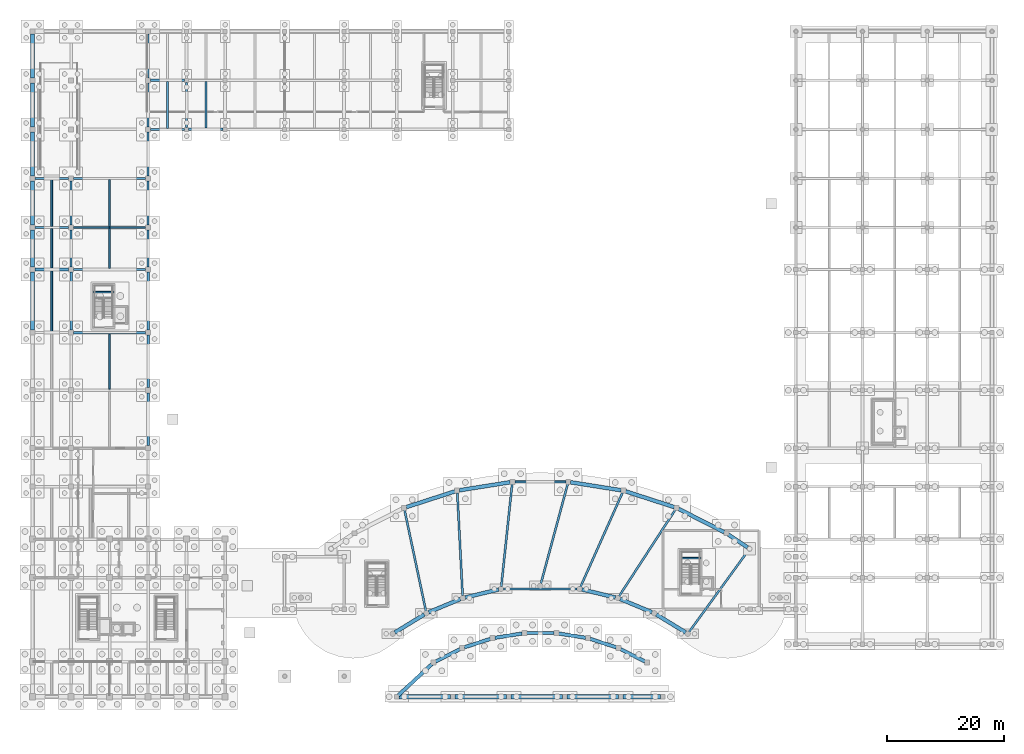
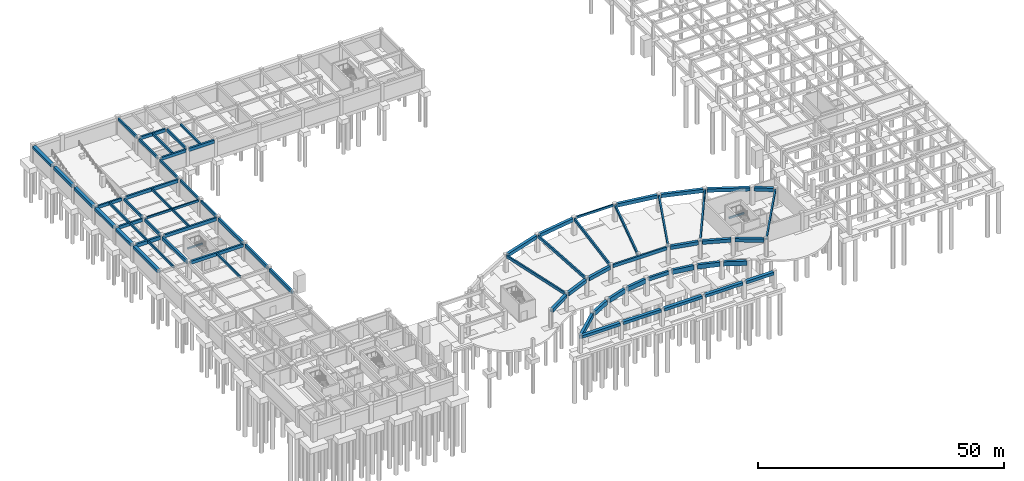
# One storey, part 11 of 28: 72 beams.
"""IFC4 building model written with IfcOpenShell, lengths in metres."""

from ifc_helpers import new_model, si_unit, direction, frame, origin, origin_2d, place, context, subcontext, project, spatial, rectangle, extrude, material, material_profile, profile_set, type_object, element, save


model = new_model("IFC4")

# Units and contexts
model_context = context("Model", 3, precision=1e-05, world=origin(), true_north=direction((0.0, 1.0)))
body_context = subcontext(model_context, "Body", "Model", "MODEL_VIEW")
ifc_project = project(units=[si_unit("LENGTHUNIT", "METRE"), si_unit("AREAUNIT", "SQUARE_METRE"), si_unit("VOLUMEUNIT", "CUBIC_METRE"), si_unit("PLANEANGLEUNIT", "RADIAN"), si_unit("MASSUNIT", "GRAM", prefix="KILO")], contexts=[model_context])

# Site, building, storey
site_placement = place(None, origin())
site = spatial("IfcSite", under=ifc_project, at=site_placement, CompositionType="ELEMENT")
building_placement = place(site_placement, origin())
building = spatial("IfcBuilding", under=site, at=building_placement, Name="Miralva Faculty of Natural Sciences", CompositionType="ELEMENT")
storey_placement = place(building_placement, frame((0.0, 0.0, -4.5)))
storey = spatial("IfcBuildingStorey", under=building, at=storey_placement, Name="B1", CompositionType="ELEMENT", Elevation=-4.5)

# Beams
ifc_material = material(Name="Concrete C40/50", Category="concrete")
ifc_material_profile_1 = material_profile(ifc_material, rectangle(XDim=0.449951171875, YDim=0.85009765625, at=origin_2d()), Name="RC 450x850")
ifc_profile_set_1 = profile_set([ifc_material_profile_1], Name="Concrete C40/50")
beam_type_1 = type_object("IfcBeamType", Name="BM-B01", PredefinedType="BEAM", material=ifc_profile_set_1)
beam_1_placement = place(storey_placement, frame((9.60009765625, 65.85009765625, 3.7548828125), z_axis=(0.0, 1.0, 0.0), x_axis=(-1.0, 0.0, 0.0)))
element("IfcBeam", 1, at=beam_1_placement, inside=storey, type_object=beam_type_1, Name="Girder NS B1-131", PredefinedType="BEAM", context=body_context, shape_type="SweptSolid", body=[
    extrude(rectangle(XDim=0.449951171875, YDim=0.85009765625, at=origin_2d()), origin(), (0.0, 0.0, 1.0), 9.89990234375),
])
for number, where, z_axis, x_axis, name in (
    (2, (22.800048828125, 46.050048828125, 3.7548828125), (0.0, 1.0, 0.0), (-1.0, 0.0, 0.0), "Girder NS B1-142"),
    (3, (22.800048828125, 55.949951171875, 3.7548828125), (0.0, 1.0, 0.0), (-1.0, 0.0, 0.0), "Girder NS B1-143"),
):
    element("IfcBeam", number, at=place(storey_placement, frame(where, z_axis=z_axis, x_axis=x_axis)), inside=storey, type_object=beam_type_1, Name=name, PredefinedType="BEAM", context=body_context, shape_type="SweptSolid", body=[
        extrude(rectangle(XDim=0.449951171875, YDim=0.85009765625, at=origin_2d()), origin(), (0.0, 0.0, 1.0), 9.0),
    ])
beam_2_placement = place(storey_placement, frame((22.800048828125, 65.85009765625, 3.7548828125), z_axis=(0.0, 1.0, 0.0), x_axis=(-1.0, 0.0, 0.0)))
element("IfcBeam", 4, at=beam_2_placement, inside=storey, type_object=beam_type_1, Name="Girder NS B1-144", PredefinedType="BEAM", context=body_context, shape_type="SweptSolid", body=[
    extrude(rectangle(XDim=0.449951171875, YDim=0.85009765625, at=origin_2d()), origin(), (0.0, 0.0, 1.0), 9.89990234375),
])
ifc_material_profile_2 = material_profile(ifc_material, rectangle(XDim=0.39990234375, YDim=0.800048828125, at=origin_2d()), Name="RC 400x800")
ifc_profile_set_2 = profile_set([ifc_material_profile_2], Name="Concrete C40/50")
beam_type_2 = type_object("IfcBeamType", Name="BM-B02", PredefinedType="BEAM", material=ifc_profile_set_2)
beam_3_placement = place(storey_placement, frame((83.719970703125, 21.469970703125, 3.820068359375), z_axis=(1.0, 0.0, 0.0), x_axis=(0.0, 1.0, 0.0)))
element("IfcBeam", 5, at=beam_3_placement, inside=storey, type_object=beam_type_2, Name="Girder EW B1-22", PredefinedType="BEAM", context=body_context, shape_type="SweptSolid", body=[
    extrude(rectangle(XDim=0.39990234375, YDim=0.800048828125, at=origin_2d()), origin(), (0.0, 0.0, 1.0), 12.56005859375),
])
for number, where, z_axis, x_axis, name in (
    (6, (10.050048828125, 76.199951171875, 3.780029296875), (1.0, 0.0, 0.0), (0.0, 1.0, 0.0), "Girder EW B1-62"),
    (7, (10.050048828125, 91.800048828125, 3.780029296875), (1.0, 0.0, 0.0), (0.0, 1.0, 0.0), "Girder EW B1-72"),
):
    element("IfcBeam", number, at=place(storey_placement, frame(where, z_axis=z_axis, x_axis=x_axis)), inside=storey, type_object=beam_type_2, Name=name, PredefinedType="BEAM", context=body_context, shape_type="SweptSolid", body=[
        extrude(rectangle(XDim=0.39990234375, YDim=0.800048828125, at=origin_2d()), origin(), (0.0, 0.0, 1.0), 12.300048828125),
    ])
ifc_material_profile_3 = material_profile(ifc_material, rectangle(XDim=0.39990234375, YDim=0.75, at=origin_2d()), Name="RC 400x750")
ifc_profile_set_3 = profile_set([ifc_material_profile_3], Name="Concrete C40/50")
beam_type_3 = type_object("IfcBeamType", Name="BM-B03", PredefinedType="BEAM", material=ifc_profile_set_3)
beam_4_placement = place(storey_placement, frame((3.449951171875, 83.39990234375, 3.804931640625), z_axis=(1.0, 0.0, 0.0), x_axis=(0.0, 1.0, 0.0)))
element("IfcBeam", 8, at=beam_4_placement, inside=storey, type_object=beam_type_3, Name="Girder EW B1-66", PredefinedType="BEAM", context=body_context, shape_type="SweptSolid", body=[
    extrude(rectangle(XDim=0.39990234375, YDim=0.75, at=origin_2d()), origin(), (0.0, 0.0, 1.0), 5.699951171875),
])
for number, where, z_axis, x_axis, name in (
    (9, (23.25, 100.199951171875, 3.804931640625), (1.0, 0.0, 0.0), (0.0, 1.0, 0.0), "Girder EW B1-78"),
    (10, (23.25, 108.60009765625, 3.804931640625), (1.0, 0.0, 0.0), (0.0, 1.0, 0.0), "Girder EW B1-90"),
):
    element("IfcBeam", number, at=place(storey_placement, frame(where, z_axis=z_axis, x_axis=x_axis)), inside=storey, type_object=beam_type_3, Name=name, PredefinedType="BEAM", context=body_context, shape_type="SweptSolid", body=[
        extrude(rectangle(XDim=0.39990234375, YDim=0.75, at=origin_2d()), origin(), (0.0, 0.0, 1.0), 5.800048828125),
    ])
ifc_material_profile_4 = material_profile(ifc_material, rectangle(XDim=0.35009765625, YDim=0.699951171875, at=origin_2d()), Name="RC 350x700")
ifc_profile_set_4 = profile_set([ifc_material_profile_4], Name="Concrete C40/50")
beam_type_4 = type_object("IfcBeamType", Name="BM-B04", PredefinedType="BEAM", material=ifc_profile_set_4)
beam_5_placement = place(storey_placement, frame((115.513427734375, 14.125, 3.909912109375), z_axis=(0.587841921696, 0.80897581861, 0.0), x_axis=(-0.80897581861, 0.587841921696, 0.0)))
element("IfcBeam", 11, at=beam_5_placement, inside=storey, type_object=beam_type_4, Name="Swept-arc radial girder B1-1", PredefinedType="BEAM", context=body_context, shape_type="SweptSolid", body=[
    extrude(rectangle(XDim=0.35009765625, YDim=0.699951171875, at=origin_2d()), origin(), (0.0, 0.0, 1.0), 17.169921875),
])
beam_6_placement = place(storey_placement, frame((103.515625, 20.2470703125, 3.909912109375), z_axis=(0.545027279847, 0.838418311002, 0.0), x_axis=(-0.838418311002, 0.545027279847, 0.0)))
element("IfcBeam", 12, at=beam_6_placement, inside=storey, type_object=beam_type_4, Name="Swept-arc radial girder B1-3", PredefinedType="BEAM", context=body_context, shape_type="SweptSolid", body=[
    extrude(rectangle(XDim=0.35009765625, YDim=0.699951171875, at=origin_2d()), origin(), (0.0, 0.0, 1.0), 17.634521484375),
])
beam_7_placement = place(storey_placement, frame((96.898681640625, 21.84814453125, 3.909912109375), z_axis=(0.407296850799, 0.913295831223, 0.0), x_axis=(-0.913295831223, 0.407296850799, 0.0)))
element("IfcBeam", 13, at=beam_7_placement, inside=storey, type_object=beam_type_4, Name="Swept-arc radial girder B1-4", PredefinedType="BEAM", context=body_context, shape_type="SweptSolid", body=[
    extrude(rectangle(XDim=0.35009765625, YDim=0.699951171875, at=origin_2d()), origin(), (0.0, 0.0, 1.0), 17.633544921875),
])
beam_8_placement = place(storey_placement, frame((90.107421875, 22.39990234375, 3.909912109375), z_axis=(0.259729732871, 0.965681347994, 0.0), x_axis=(-0.965681347994, 0.259729732871, 0.0)))
element("IfcBeam", 14, at=beam_8_placement, inside=storey, type_object=beam_type_4, Name="Swept-arc radial girder B1-5", PredefinedType="BEAM", context=body_context, shape_type="SweptSolid", body=[
    extrude(rectangle(XDim=0.35009765625, YDim=0.699951171875, at=origin_2d()), origin(), (0.0, 0.0, 1.0), 17.6376953125),
])
beam_9_placement = place(storey_placement, frame((83.3134765625, 21.881591796875, 3.909912109375), z_axis=(0.105200686125, 0.994451012187, 0.0), x_axis=(-0.994451012187, 0.105200686125, 0.0)))
element("IfcBeam", 15, at=beam_9_placement, inside=storey, type_object=beam_type_4, Name="Swept-arc radial girder B1-6", PredefinedType="BEAM", context=body_context, shape_type="SweptSolid", body=[
    extrude(rectangle(XDim=0.35009765625, YDim=0.699951171875, at=origin_2d()), origin(), (0.0, 0.0, 1.0), 17.637451171875),
])
beam_10_placement = place(storey_placement, frame((76.688720703125, 20.3134765625, 3.909912109375), z_axis=(-0.05154411646, 0.998670718535, 0.0), x_axis=(-0.998670718535, -0.05154411646, 0.0)))
element("IfcBeam", 16, at=beam_10_placement, inside=storey, type_object=beam_type_4, Name="Swept-arc radial girder B1-7", PredefinedType="BEAM", context=body_context, shape_type="SweptSolid", body=[
    extrude(rectangle(XDim=0.35009765625, YDim=0.699951171875, at=origin_2d()), origin(), (0.0, 0.0, 1.0), 17.62939453125),
])
beam_11_placement = place(storey_placement, frame((70.394287109375, 17.715087890625, 3.909912109375), z_axis=(-0.20704798561, 0.978330788463, 0.0), x_axis=(-0.978330788463, -0.20704798561, 0.0)))
element("IfcBeam", 17, at=beam_11_placement, inside=storey, type_object=beam_type_4, Name="Swept-arc radial girder B1-8", PredefinedType="BEAM", context=body_context, shape_type="SweptSolid", body=[
    extrude(rectangle(XDim=0.35009765625, YDim=0.699951171875, at=origin_2d()), origin(), (0.0, 0.0, 1.0), 17.644775390625),
])
ifc_material_profile_5 = material_profile(ifc_material, rectangle(XDim=0.35009765625, YDim=0.64990234375, at=origin_2d()), Name="RC 350x650")
ifc_profile_set_5 = profile_set([ifc_material_profile_5], Name="Concrete C40/50")
beam_type_5 = type_object("IfcBeamType", Name="BM-B05", PredefinedType="BEAM", material=ifc_profile_set_5)
beam_12_placement = place(storey_placement, frame((9.60009765625, 76.64990234375, 3.85498046875), z_axis=(0.0, 1.0, 0.0), x_axis=(-1.0, 0.0, 0.0)))
element("IfcBeam", 18, at=beam_12_placement, inside=storey, type_object=beam_type_5, Name="Girder NS B1-132", PredefinedType="BEAM", context=body_context, shape_type="SweptSolid", body=[
    extrude(rectangle(XDim=0.35009765625, YDim=0.64990234375, at=origin_2d()), origin(), (0.0, 0.0, 1.0), 6.300048828125),
])
beam_13_placement = place(storey_placement, frame((9.60009765625, 83.85009765625, 3.85498046875), z_axis=(0.0, 1.0, 0.0), x_axis=(-1.0, 0.0, 0.0)))
element("IfcBeam", 19, at=beam_13_placement, inside=storey, type_object=beam_type_5, Name="Girder NS B1-133", PredefinedType="BEAM", context=body_context, shape_type="SweptSolid", body=[
    extrude(rectangle(XDim=0.35009765625, YDim=0.64990234375, at=origin_2d()), origin(), (0.0, 0.0, 1.0), 7.5),
])
beam_14_placement = place(storey_placement, frame((22.800048828125, 76.64990234375, 3.85498046875), z_axis=(0.0, 1.0, 0.0), x_axis=(-1.0, 0.0, 0.0)))
element("IfcBeam", 20, at=beam_14_placement, inside=storey, type_object=beam_type_5, Name="Girder NS B1-145", PredefinedType="BEAM", context=body_context, shape_type="SweptSolid", body=[
    extrude(rectangle(XDim=0.35009765625, YDim=0.64990234375, at=origin_2d()), origin(), (0.0, 0.0, 1.0), 6.300048828125),
])
for number, where, z_axis, x_axis, name in (
    (21, (22.800048828125, 83.85009765625, 3.85498046875), (0.0, 1.0, 0.0), (-1.0, 0.0, 0.0), "Girder NS B1-146"),
    (22, (22.800048828125, 92.25, 3.85498046875), (0.0, 1.0, 0.0), (-1.0, 0.0, 0.0), "Girder NS B1-147"),
    (23, (22.800048828125, 100.64990234375, 3.85498046875), (0.0, 1.0, 0.0), (-1.0, 0.0, 0.0), "Girder NS B1-148"),
    (24, (22.800048828125, 109.050048828125, 3.85498046875), (0.0, 1.0, 0.0), (-1.0, 0.0, 0.0), "Girder NS B1-149"),
):
    element("IfcBeam", number, at=place(storey_placement, frame(where, z_axis=z_axis, x_axis=x_axis)), inside=storey, type_object=beam_type_5, Name=name, PredefinedType="BEAM", context=body_context, shape_type="SweptSolid", body=[
        extrude(rectangle(XDim=0.35009765625, YDim=0.64990234375, at=origin_2d()), origin(), (0.0, 0.0, 1.0), 7.5),
    ])
beam_15_placement = place(storey_placement, frame((29.39990234375, 100.550048828125, 3.85498046875), z_axis=(0.0, 1.0, 0.0), x_axis=(-1.0, 0.0, 0.0)))
element("IfcBeam", 25, at=beam_15_placement, inside=storey, type_object=beam_type_5, Name="Girder NS B1-153", PredefinedType="BEAM", context=body_context, shape_type="SweptSolid", body=[
    extrude(rectangle(XDim=0.35009765625, YDim=0.64990234375, at=origin_2d()), origin(), (0.0, 0.0, 1.0), 7.699951171875),
])
ifc_material_profile_6 = material_profile(ifc_material, rectangle(XDim=0.320068359375, YDim=0.52001953125, at=origin_2d()), Name="RC 320x520")
ifc_profile_set_6 = profile_set([ifc_material_profile_6], Name="Concrete C40/50")
beam_type_6 = type_object("IfcBeamType", Name="BM-BG01", PredefinedType="BEAM", material=ifc_profile_set_6)
beam_16_placement = place(storey_placement, frame((85.635009765625, 39.81005859375, 4.0), z_axis=(1.0, 0.0, 0.0), x_axis=(0.0, 1.0, 0.0)))
element("IfcBeam", 26, at=beam_16_placement, inside=storey, type_object=beam_type_6, Name="Girder EW B1-45", PredefinedType="BEAM", context=body_context, shape_type="SweptSolid", body=[
    extrude(rectangle(XDim=0.320068359375, YDim=0.52001953125, at=origin_2d()), origin(), (0.0, 0.0, 1.0), 8.72998046875),
])
beam_17_placement = place(storey_placement, frame((10.050048828125, 83.39990234375, 3.919921875), z_axis=(1.0, 0.0, 0.0), x_axis=(0.0, 1.0, 0.0)))
element("IfcBeam", 27, at=beam_17_placement, inside=storey, type_object=beam_type_6, Name="Girder EW B1-67", PredefinedType="BEAM", context=body_context, shape_type="SweptSolid", body=[
    extrude(rectangle(XDim=0.320068359375, YDim=0.52001953125, at=origin_2d()), origin(), (0.0, 0.0, 1.0), 12.300048828125),
])
ifc_material_profile_7 = material_profile(ifc_material, rectangle(XDim=0.360107421875, YDim=0.719970703125, at=origin_2d()), Name="RC 360x720")
ifc_profile_set_7 = profile_set([ifc_material_profile_7], Name="Concrete C40/50")
beam_type_7 = type_object("IfcBeamType", Name="BM-BG05", PredefinedType="BEAM", material=ifc_profile_set_7)
beam_18_placement = place(storey_placement, frame((3.449951171875, 91.800048828125, 3.820068359375), z_axis=(1.0, 0.0, 0.0), x_axis=(0.0, 1.0, 0.0)))
element("IfcBeam", 28, at=beam_18_placement, inside=storey, type_object=beam_type_7, Name="Girder EW B1-71", PredefinedType="BEAM", context=body_context, shape_type="SweptSolid", body=[
    extrude(rectangle(XDim=0.360107421875, YDim=0.719970703125, at=origin_2d()), origin(), (0.0, 0.0, 1.0), 5.699951171875),
])
ifc_material_profile_8 = material_profile(ifc_material, rectangle(XDim=0.43994140625, YDim=0.780029296875, at=origin_2d()), Name="RC 440x780")
ifc_profile_set_8 = profile_set([ifc_material_profile_8], Name="Concrete C40/50")
beam_type_8 = type_object("IfcBeamType", Name="BM-BG13", PredefinedType="BEAM", material=ifc_profile_set_8)
beam_19_placement = place(storey_placement, frame((10.050048828125, 65.39990234375, 3.7900390625), z_axis=(1.0, 0.0, 0.0), x_axis=(0.0, 1.0, 0.0)))
element("IfcBeam", 29, at=beam_19_placement, inside=storey, type_object=beam_type_8, Name="Girder EW B1-57", PredefinedType="BEAM", context=body_context, shape_type="SweptSolid", body=[
    extrude(rectangle(XDim=0.43994140625, YDim=0.780029296875, at=origin_2d()), origin(), (0.0, 0.0, 1.0), 12.300048828125),
])
beam_20_placement = place(storey_placement, frame((29.75, 100.199951171875, 3.7900390625), z_axis=(1.0, 0.0, 0.0), x_axis=(0.0, 1.0, 0.0)))
element("IfcBeam", 30, at=beam_20_placement, inside=storey, type_object=beam_type_8, Name="Girder EW B1-79", PredefinedType="BEAM", context=body_context, shape_type="SweptSolid", body=[
    extrude(rectangle(XDim=0.43994140625, YDim=0.780029296875, at=origin_2d()), origin(), (0.0, 0.0, 1.0), 5.89990234375),
])
ifc_material_profile_9 = material_profile(ifc_material, rectangle(XDim=0.47998046875, YDim=0.860107421875, at=origin_2d()), Name="RC 480x860")
ifc_profile_set_9 = profile_set([ifc_material_profile_9], Name="Concrete C40/50")
beam_type_9 = type_object("IfcBeamType", Name="BM-BG17", PredefinedType="BEAM", material=ifc_profile_set_9)
beam_21_placement = place(storey_placement, frame((3.449951171875, 76.199951171875, 3.75), z_axis=(1.0, 0.0, 0.0), x_axis=(0.0, 1.0, 0.0)))
element("IfcBeam", 31, at=beam_21_placement, inside=storey, type_object=beam_type_9, Name="Girder EW B1-61", PredefinedType="BEAM", context=body_context, shape_type="SweptSolid", body=[
    extrude(rectangle(XDim=0.47998046875, YDim=0.860107421875, at=origin_2d()), origin(), (0.0, 0.0, 1.0), 5.699951171875),
])
ifc_material_profile_10 = material_profile(ifc_material, rectangle(XDim=0.52001953125, YDim=0.8798828125, at=origin_2d()), Name="RC 520x880")
ifc_profile_set_10 = profile_set([ifc_material_profile_10], Name="Concrete C40/50")
beam_type_10 = type_object("IfcBeamType", Name="BM-BG19", PredefinedType="BEAM", material=ifc_profile_set_10)
beam_22_placement = place(storey_placement, frame((87.675048828125, 13.889892578125, 3.780029296875), z_axis=(1.0, 0.0, 0.0), x_axis=(0.0, 1.0, 0.0)))
element("IfcBeam", 32, at=beam_22_placement, inside=storey, type_object=beam_type_10, Name="Girder EW B1-19", PredefinedType="BEAM", context=body_context, shape_type="SweptSolid", body=[
    extrude(rectangle(XDim=0.52001953125, YDim=0.8798828125, at=origin_2d()), origin(), (0.0, 0.0, 1.0), 4.64990234375),
])
ifc_material_profile_11 = material_profile(ifc_material, rectangle(XDim=0.300048828125, YDim=0.60009765625, at=origin_2d()), Name="RC 300x600")
ifc_profile_set_11 = profile_set([ifc_material_profile_11], Name="Concrete C40/50")
beam_type_11 = type_object("IfcBeamType", Name="BM-J01", PredefinedType="JOIST", material=ifc_profile_set_11)
beam_23_placement = place(storey_placement, frame((16.199951171875, 55.699951171875, 3.8798828125), z_axis=(0.0, 1.0, 0.0), x_axis=(-1.0, 0.0, 0.0)))
element("IfcBeam", 33, at=beam_23_placement, inside=storey, type_object=beam_type_11, Name="Floor joist B1-18", PredefinedType="JOIST", context=body_context, shape_type="SweptSolid", body=[
    extrude(rectangle(XDim=0.300048828125, YDim=0.60009765625, at=origin_2d()), origin(), (0.0, 0.0, 1.0), 9.47998046875),
])
beam_24_placement = place(storey_placement, frame((6.300048828125, 65.60009765625, 3.8798828125), z_axis=(0.0, 1.0, 0.0), x_axis=(-1.0, 0.0, 0.0)))
element("IfcBeam", 34, at=beam_24_placement, inside=storey, type_object=beam_type_11, Name="Floor joist B1-22", PredefinedType="JOIST", context=body_context, shape_type="SweptSolid", body=[
    extrude(rectangle(XDim=0.300048828125, YDim=0.60009765625, at=origin_2d()), origin(), (0.0, 0.0, 1.0), 10.35986328125),
])
beam_25_placement = place(storey_placement, frame((6.300048828125, 76.43994140625, 3.8798828125), z_axis=(0.0, 1.0, 0.0), x_axis=(-1.0, 0.0, 0.0)))
element("IfcBeam", 35, at=beam_25_placement, inside=storey, type_object=beam_type_11, Name="Floor joist B1-26", PredefinedType="JOIST", context=body_context, shape_type="SweptSolid", body=[
    extrude(rectangle(XDim=0.300048828125, YDim=0.60009765625, at=origin_2d()), origin(), (0.0, 0.0, 1.0), 6.760009765625),
])
beam_26_placement = place(storey_placement, frame((16.199951171875, 76.39990234375, 3.8798828125), z_axis=(0.0, 1.0, 0.0), x_axis=(-1.0, 0.0, 0.0)))
element("IfcBeam", 36, at=beam_26_placement, inside=storey, type_object=beam_type_11, Name="Floor joist B1-27", PredefinedType="JOIST", context=body_context, shape_type="SweptSolid", body=[
    extrude(rectangle(XDim=0.300048828125, YDim=0.60009765625, at=origin_2d()), origin(), (0.0, 0.0, 1.0), 6.840087890625),
])
beam_27_placement = place(storey_placement, frame((6.300048828125, 83.60009765625, 3.8798828125), z_axis=(0.0, 1.0, 0.0), x_axis=(-1.0, 0.0, 0.0)))
element("IfcBeam", 37, at=beam_27_placement, inside=storey, type_object=beam_type_11, Name="Floor joist B1-31", PredefinedType="JOIST", context=body_context, shape_type="SweptSolid", body=[
    extrude(rectangle(XDim=0.300048828125, YDim=0.60009765625, at=origin_2d()), origin(), (0.0, 0.0, 1.0), 8.02001953125),
])
beam_28_placement = place(storey_placement, frame((16.199951171875, 83.56005859375, 3.8798828125), z_axis=(0.0, 1.0, 0.0), x_axis=(-1.0, 0.0, 0.0)))
element("IfcBeam", 38, at=beam_28_placement, inside=storey, type_object=beam_type_11, Name="Floor joist B1-32", PredefinedType="JOIST", context=body_context, shape_type="SweptSolid", body=[
    extrude(rectangle(XDim=0.300048828125, YDim=0.60009765625, at=origin_2d()), origin(), (0.0, 0.0, 1.0), 8.0400390625),
])
ifc_material_profile_12 = material_profile(ifc_material, rectangle(XDim=0.35009765625, YDim=0.550048828125, at=origin_2d()), Name="RC 350x550")
ifc_profile_set_12 = profile_set([ifc_material_profile_12], Name="Concrete C40/50")
beam_type_12 = type_object("IfcBeamType", Name="BM-J04", PredefinedType="JOIST", material=ifc_profile_set_12)
beam_29_placement = place(storey_placement, frame((26.14990234375, 100.39990234375, 3.905029296875), z_axis=(0.0, 1.0, 0.0), x_axis=(-1.0, 0.0, 0.0)))
element("IfcBeam", 39, at=beam_29_placement, inside=storey, type_object=beam_type_12, Name="Floor joist B1-39", PredefinedType="JOIST", context=body_context, shape_type="SweptSolid", body=[
    extrude(rectangle(XDim=0.35009765625, YDim=0.550048828125, at=origin_2d()), origin(), (0.0, 0.0, 1.0), 8.0),
])
beam_30_placement = place(storey_placement, frame((32.699951171875, 100.419921875, 3.905029296875), z_axis=(0.0, 1.0, 0.0), x_axis=(-1.0, 0.0, 0.0)))
element("IfcBeam", 40, at=beam_30_placement, inside=storey, type_object=beam_type_12, Name="Floor joist B1-40", PredefinedType="JOIST", context=body_context, shape_type="SweptSolid", body=[
    extrude(rectangle(XDim=0.35009765625, YDim=0.550048828125, at=origin_2d()), origin(), (0.0, 0.0, 1.0), 8.010009765625),
])
ifc_material_profile_13 = material_profile(ifc_material, rectangle(XDim=0.300048828125, YDim=0.3798828125, at=origin_2d()), Name="RC 300x380")
ifc_profile_set_13 = profile_set([ifc_material_profile_13], Name="Concrete C40/50")
beam_type_13 = type_object("IfcBeamType", Name="BM-LND01", PredefinedType="BEAM", material=ifc_profile_set_13)
for number, where, z_axis, x_axis, name in (
    (41, (13.425048828125, 72.35498046875, 1.8701171875), (1.0, 0.0, 0.0), (0.0, 1.0, 0.0), "Stair Core C2 half-landing support beam B1"),
    (42, (114.02490234375, 26.7548828125, 1.8701171875), (1.0, 0.0, 0.0), (0.0, 1.0, 0.0), "Stair Core C3 half-landing support beam B1"),
):
    element("IfcBeam", number, at=place(storey_placement, frame(where, z_axis=z_axis, x_axis=x_axis)), inside=storey, type_object=beam_type_13, Name=name, PredefinedType="BEAM", context=body_context, shape_type="SweptSolid", body=[
        extrude(rectangle(XDim=0.300048828125, YDim=0.3798828125, at=origin_2d()), origin(), (0.0, 0.0, 1.0), 3.5),
    ])
ifc_material_profile_14 = material_profile(ifc_material, rectangle(XDim=0.75, YDim=0.699951171875, at=origin_2d()), Name="RC 750x700")
ifc_profile_set_14 = profile_set([ifc_material_profile_14], Name="Concrete C40/50")
beam_type_14 = type_object("IfcBeamType", Name="BM-SP01", PredefinedType="SPANDREL", material=ifc_profile_set_14)
for number, where, z_axis, x_axis, name in (
    (43, (65.77490234375, 3.0, 3.8701171875), (1.0, 0.0, 0.0), (0.0, 1.0, 0.0), "Girder EW B1-6"),
    (44, (75.375, 3.0, 3.8701171875), (1.0, 0.0, 0.0), (0.0, 1.0, 0.0), "Girder EW B1-7"),
):
    element("IfcBeam", number, at=place(storey_placement, frame(where, z_axis=z_axis, x_axis=x_axis)), inside=storey, type_object=beam_type_14, Name=name, PredefinedType="SPANDREL", context=body_context, shape_type="SweptSolid", body=[
        extrude(rectangle(XDim=0.75, YDim=0.699951171875, at=origin_2d()), origin(), (0.0, 0.0, 1.0), 8.85009765625),
    ])
beam_31_placement = place(storey_placement, frame((84.97509765625, 3.0, 3.8701171875), z_axis=(1.0, 0.0, 0.0), x_axis=(0.0, 1.0, 0.0)))
element("IfcBeam", 45, at=beam_31_placement, inside=storey, type_object=beam_type_14, Name="Girder EW B1-8", PredefinedType="SPANDREL", context=body_context, shape_type="SweptSolid", body=[
    extrude(rectangle(XDim=0.75, YDim=0.699951171875, at=origin_2d()), origin(), (0.0, 0.0, 1.0), 8.849853515625),
])
beam_32_placement = place(storey_placement, frame((94.574951171875, 3.0, 3.8701171875), z_axis=(1.0, 0.0, 0.0), x_axis=(0.0, 1.0, 0.0)))
element("IfcBeam", 46, at=beam_32_placement, inside=storey, type_object=beam_type_14, Name="Girder EW B1-9", PredefinedType="SPANDREL", context=body_context, shape_type="SweptSolid", body=[
    extrude(rectangle(XDim=0.75, YDim=0.699951171875, at=origin_2d()), origin(), (0.0, 0.0, 1.0), 8.85009765625),
])
beam_33_placement = place(storey_placement, frame((104.175048828125, 3.0, 3.8701171875), z_axis=(1.0, 0.0, 0.0), x_axis=(0.0, 1.0, 0.0)))
element("IfcBeam", 47, at=beam_33_placement, inside=storey, type_object=beam_type_14, Name="Girder EW B1-10", PredefinedType="SPANDREL", context=body_context, shape_type="SweptSolid", body=[
    extrude(rectangle(XDim=0.75, YDim=0.699951171875, at=origin_2d()), origin(), (0.0, 0.0, 1.0), 6.449951171875),
])
beam_34_placement = place(storey_placement, frame((3.0, 65.85009765625, 3.830078125), z_axis=(0.0, 1.0, 0.0), x_axis=(-1.0, 0.0, 0.0)))
element("IfcBeam", 48, at=beam_34_placement, inside=storey, type_object=beam_type_14, Name="Girder NS B1-118", PredefinedType="SPANDREL", context=body_context, shape_type="SweptSolid", body=[
    extrude(rectangle(XDim=0.75, YDim=0.699951171875, at=origin_2d()), origin(), (0.0, 0.0, 1.0), 9.89990234375),
])
beam_35_placement = place(storey_placement, frame((3.0, 76.64990234375, 3.830078125), z_axis=(0.0, 1.0, 0.0), x_axis=(-1.0, 0.0, 0.0)))
element("IfcBeam", 49, at=beam_35_placement, inside=storey, type_object=beam_type_14, Name="Girder NS B1-119", PredefinedType="SPANDREL", context=body_context, shape_type="SweptSolid", body=[
    extrude(rectangle(XDim=0.75, YDim=0.699951171875, at=origin_2d()), origin(), (0.0, 0.0, 1.0), 6.300048828125),
])
for number, where, z_axis, x_axis, name in (
    (50, (3.0, 83.85009765625, 3.830078125), (0.0, 1.0, 0.0), (-1.0, 0.0, 0.0), "Girder NS B1-120"),
    (51, (3.0, 92.25, 3.830078125), (0.0, 1.0, 0.0), (-1.0, 0.0, 0.0), "Girder NS B1-121"),
    (52, (3.0, 100.64990234375, 3.830078125), (0.0, 1.0, 0.0), (-1.0, 0.0, 0.0), "Girder NS B1-122"),
    (53, (3.0, 109.050048828125, 3.830078125), (0.0, 1.0, 0.0), (-1.0, 0.0, 0.0), "Girder NS B1-123"),
):
    element("IfcBeam", number, at=place(storey_placement, frame(where, z_axis=z_axis, x_axis=x_axis)), inside=storey, type_object=beam_type_14, Name=name, PredefinedType="SPANDREL", context=body_context, shape_type="SweptSolid", body=[
        extrude(rectangle(XDim=0.75, YDim=0.699951171875, at=origin_2d()), origin(), (0.0, 0.0, 1.0), 7.5),
    ])
ifc_material_profile_15 = material_profile(ifc_material, rectangle(XDim=0.64990234375, YDim=0.85009765625, at=origin_2d()), Name="RC 650x850")
ifc_profile_set_15 = profile_set([ifc_material_profile_15], Name="Concrete C40/50")
beam_type_15 = type_object("IfcBeamType", Name="BM-SP03", PredefinedType="SPANDREL", material=ifc_profile_set_15)
beam_36_placement = place(storey_placement, frame((125.505859375, 28.580078125, 3.8349609375), z_axis=(-0.831417795146, 0.555647775047, 0.0), x_axis=(-0.555647775047, -0.831417795146, 0.0)))
element("IfcBeam", 54, at=beam_36_placement, inside=storey, type_object=beam_type_15, Name="Curved chord girder SHOUT B1-1", PredefinedType="SPANDREL", context=body_context, shape_type="SweptSolid", body=[
    extrude(rectangle(XDim=0.64990234375, YDim=0.85009765625, at=origin_2d()), origin(), (0.0, 0.0, 1.0), 3.982177734375),
])
beam_37_placement = place(storey_placement, frame((121.521728515625, 31.1875, 3.8349609375), z_axis=(-0.890845120113, 0.454307133965, 0.0), x_axis=(-0.454307133965, -0.890845120113, 0.0)))
element("IfcBeam", 55, at=beam_37_placement, inside=storey, type_object=beam_type_15, Name="Curved chord girder SHOUT B1-2", PredefinedType="SPANDREL", context=body_context, shape_type="SweptSolid", body=[
    extrude(rectangle(XDim=0.64990234375, YDim=0.85009765625, at=origin_2d()), origin(), (0.0, 0.0, 1.0), 8.793212890625),
])
beam_38_placement = place(storey_placement, frame((112.968017578125, 35.480712890625, 3.8349609375), z_axis=(-0.951268878856, 0.308362643846, 0.0), x_axis=(-0.308362643846, -0.951268878856, 0.0)))
element("IfcBeam", 56, at=beam_38_placement, inside=storey, type_object=beam_type_15, Name="Curved chord girder SHOUT B1-3", PredefinedType="SPANDREL", context=body_context, shape_type="SweptSolid", body=[
    extrude(rectangle(XDim=0.64990234375, YDim=0.85009765625, at=origin_2d()), origin(), (0.0, 0.0, 1.0), 8.7841796875),
])
for number, where, z_axis, x_axis, name in (
    (57, (103.853759765625, 38.371337890625, 3.8349609375), (-0.987634435807, 0.156774427787, 0.0), (-0.156774427787, -0.987634435807, 0.0), "Curved chord girder SHOUT B1-4"),
    (58, (84.82373046875, 39.748779296875, 3.8349609375), (-0.987634435807, -0.156774427787, 0.0), (0.156774427787, -0.987634435807, 0.0), "Curved chord girder SHOUT B1-6"),
):
    element("IfcBeam", number, at=place(storey_placement, frame(where, z_axis=z_axis, x_axis=x_axis)), inside=storey, type_object=beam_type_15, Name=name, PredefinedType="SPANDREL", context=body_context, shape_type="SweptSolid", body=[
        extrude(rectangle(XDim=0.64990234375, YDim=0.85009765625, at=origin_2d()), origin(), (0.0, 0.0, 1.0), 8.7861328125),
    ])
beam_39_placement = place(storey_placement, frame((75.38818359375, 38.189453125, 3.8349609375), z_axis=(-0.951268878856, -0.308362643846, 0.0), x_axis=(0.308362643846, -0.951268878856, 0.0)))
element("IfcBeam", 59, at=beam_39_placement, inside=storey, type_object=beam_type_15, Name="Curved chord girder SHOUT B1-7", PredefinedType="SPANDREL", context=body_context, shape_type="SweptSolid", body=[
    extrude(rectangle(XDim=0.64990234375, YDim=0.85009765625, at=origin_2d()), origin(), (0.0, 0.0, 1.0), 8.7841796875),
])
beam_40_placement = place(storey_placement, frame((114.9169921875, 14.006103515625, 3.8349609375), z_axis=(-0.852887694262, 0.522094417683, 0.0), x_axis=(-0.522094417683, -0.852887694262, 0.0)))
element("IfcBeam", 60, at=beam_40_placement, inside=storey, type_object=beam_type_15, Name="Curved chord girder ARCIN B1-1", PredefinedType="SPANDREL", context=body_context, shape_type="SweptSolid", body=[
    extrude(rectangle(XDim=0.64990234375, YDim=0.85009765625, at=origin_2d()), origin(), (0.0, 0.0, 1.0), 5.9140625),
])
beam_41_placement = place(storey_placement, frame((109.1376953125, 17.468994140625, 3.794921875), z_axis=(-0.923376848941, 0.38389477053, 0.0), x_axis=(-0.38389477053, -0.923376848941, 0.0)))
element("IfcBeam", 61, at=beam_41_placement, inside=storey, type_object=beam_type_15, Name="Curved chord girder ARCIN B1-2", PredefinedType="SPANDREL", context=body_context, shape_type="SweptSolid", body=[
    extrude(rectangle(XDim=0.64990234375, YDim=0.85009765625, at=origin_2d()), origin(), (0.0, 0.0, 1.0), 5.9189453125),
])
for number, where, z_axis, x_axis, name in (
    (62, (102.887451171875, 19.996337890625, 3.794921875), (-0.972539519162, 0.232737800254, 0.0), (-0.232737800254, -0.972539519162, 0.0), "Curved chord girder ARCIN B1-3"),
    (63, (82.867431640625, 21.37353515625, 3.794921875), (-0.972539519162, -0.232737800254, 0.0), (0.232737800254, -0.972539519162, 0.0), "Curved chord girder ARCIN B1-6"),
):
    element("IfcBeam", number, at=place(storey_placement, frame(where, z_axis=z_axis, x_axis=x_axis)), inside=storey, type_object=beam_type_15, Name=name, PredefinedType="SPANDREL", context=body_context, shape_type="SweptSolid", body=[
        extrude(rectangle(XDim=0.64990234375, YDim=0.85009765625, at=origin_2d()), origin(), (0.0, 0.0, 1.0), 5.91748046875),
    ])
beam_42_placement = place(storey_placement, frame((76.32763671875, 19.7412109375, 3.794921875), z_axis=(-0.923376848941, -0.38389477053, 0.0), x_axis=(0.38389477053, -0.923376848941, 0.0)))
element("IfcBeam", 64, at=beam_42_placement, inside=storey, type_object=beam_type_15, Name="Curved chord girder ARCIN B1-7", PredefinedType="SPANDREL", context=body_context, shape_type="SweptSolid", body=[
    extrude(rectangle(XDim=0.64990234375, YDim=0.85009765625, at=origin_2d()), origin(), (0.0, 0.0, 1.0), 5.9189453125),
])
beam_43_placement = place(storey_placement, frame((70.126953125, 17.09375, 3.794921875), z_axis=(-0.852887694262, -0.522094417683, 0.0), x_axis=(0.522094417683, -0.852887694262, 0.0)))
element("IfcBeam", 65, at=beam_43_placement, inside=storey, type_object=beam_type_15, Name="Curved chord girder ARCIN B1-8", PredefinedType="SPANDREL", context=body_context, shape_type="SweptSolid", body=[
    extrude(rectangle(XDim=0.64990234375, YDim=0.85009765625, at=origin_2d()), origin(), (0.0, 0.0, 1.0), 5.9140625),
])
ifc_material_profile_16 = material_profile(ifc_material, rectangle(XDim=0.60009765625, YDim=1.10009765625, at=origin_2d()), Name="RC 600x1100")
ifc_profile_set_16 = profile_set([ifc_material_profile_16], Name="Concrete C40/50")
beam_type_16 = type_object("IfcBeamType", Name="BM-TG01", PredefinedType="BEAM", material=ifc_profile_set_16)
beam_44_placement = place(storey_placement, frame((107.941650390625, 9.017578125, 3.699951171875), z_axis=(-0.890744771804, 0.454503852024, 0.0), x_axis=(-0.454503852024, -0.890744771804, 0.0)))
element("IfcBeam", 66, at=beam_44_placement, inside=storey, type_object=beam_type_16, Name="Curved chord girder SHIN B1-1", PredefinedType="BEAM", context=body_context, shape_type="SweptSolid", body=[
    extrude(rectangle(XDim=0.60009765625, YDim=1.10009765625, at=origin_2d()), origin(), (0.0, 0.0, 1.0), 4.718994140625),
])
beam_45_placement = place(storey_placement, frame((103.01806640625, 11.46044921875, 3.699951171875), z_axis=(-0.951377447545, 0.308027518743, 0.0), x_axis=(-0.308027518743, -0.951377447545, 0.0)))
element("IfcBeam", 67, at=beam_45_placement, inside=storey, type_object=beam_type_16, Name="Curved chord girder SHIN B1-2", PredefinedType="BEAM", context=body_context, shape_type="SweptSolid", body=[
    extrude(rectangle(XDim=0.60009765625, YDim=1.10009765625, at=origin_2d()), origin(), (0.0, 0.0, 1.0), 4.704833984375),
])
for number, where, z_axis, x_axis, name in (
    (68, (97.78369140625, 13.09130859375, 3.699951171875), (-0.987648276041, 0.156687213367, 0.0), (-0.156687213367, -0.987648276041, 0.0), "Curved chord girder SHIN B1-3"),
    (69, (86.86376953125, 13.82861328125, 3.699951171875), (-0.987648276041, -0.156687213367, 0.0), (0.156687213367, -0.987648276041, 0.0), "Curved chord girder SHIN B1-5"),
):
    element("IfcBeam", number, at=place(storey_placement, frame(where, z_axis=z_axis, x_axis=x_axis)), inside=storey, type_object=beam_type_16, Name=name, PredefinedType="BEAM", context=body_context, shape_type="SweptSolid", body=[
        extrude(rectangle(XDim=0.60009765625, YDim=1.10009765625, at=origin_2d()), origin(), (0.0, 0.0, 1.0), 4.70556640625),
    ])
beam_46_placement = place(storey_placement, frame((81.4580078125, 12.90966796875, 3.699951171875), z_axis=(-0.951377447545, -0.308027518743, 0.0), x_axis=(0.308027518743, -0.951377447545, 0.0)))
element("IfcBeam", 70, at=beam_46_placement, inside=storey, type_object=beam_type_16, Name="Curved chord girder SHIN B1-6", PredefinedType="BEAM", context=body_context, shape_type="SweptSolid", body=[
    extrude(rectangle(XDim=0.60009765625, YDim=1.10009765625, at=origin_2d()), origin(), (0.0, 0.0, 1.0), 4.704833984375),
])
beam_47_placement = place(storey_placement, frame((76.26171875, 11.162353515625, 3.699951171875), z_axis=(-0.890744771804, -0.454503852024, 0.0), x_axis=(0.454503852024, -0.890744771804, 0.0)))
element("IfcBeam", 71, at=beam_47_placement, inside=storey, type_object=beam_type_16, Name="Curved chord girder SHIN B1-7", PredefinedType="BEAM", context=body_context, shape_type="SweptSolid", body=[
    extrude(rectangle(XDim=0.60009765625, YDim=1.10009765625, at=origin_2d()), origin(), (0.0, 0.0, 1.0), 4.718994140625),
])
beam_48_placement = place(storey_placement, frame((71.423095703125, 8.574462890625, 3.699951171875), z_axis=(-0.733906295868, -0.679250726083, 0.0), x_axis=(0.679250726083, -0.733906295868, 0.0)))
element("IfcBeam", 72, at=beam_48_placement, inside=storey, type_object=beam_type_16, Name="Curved chord girder SHIN B1-8", PredefinedType="BEAM", context=body_context, shape_type="SweptSolid", body=[
    extrude(rectangle(XDim=0.60009765625, YDim=1.10009765625, at=origin_2d()), origin(), (0.0, 0.0, 1.0), 7.86181640625),
])

save(model, "model.ifc")
